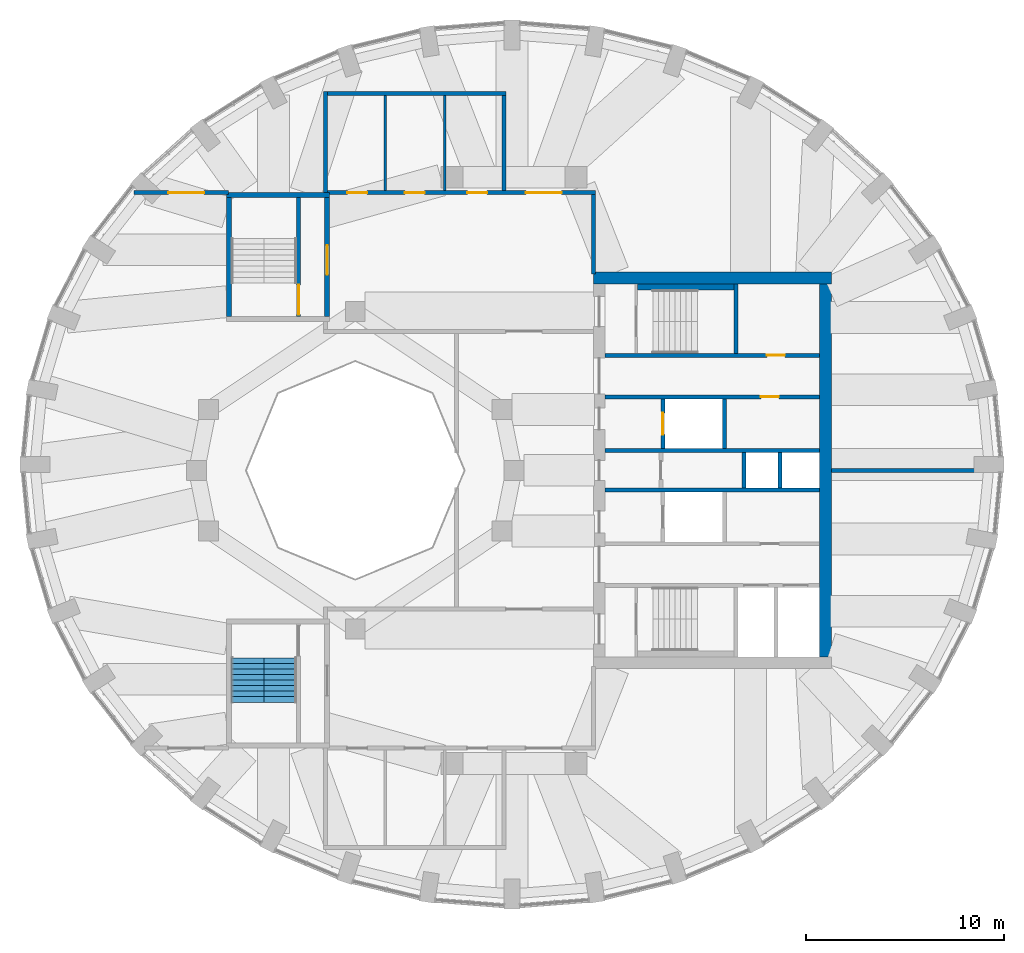
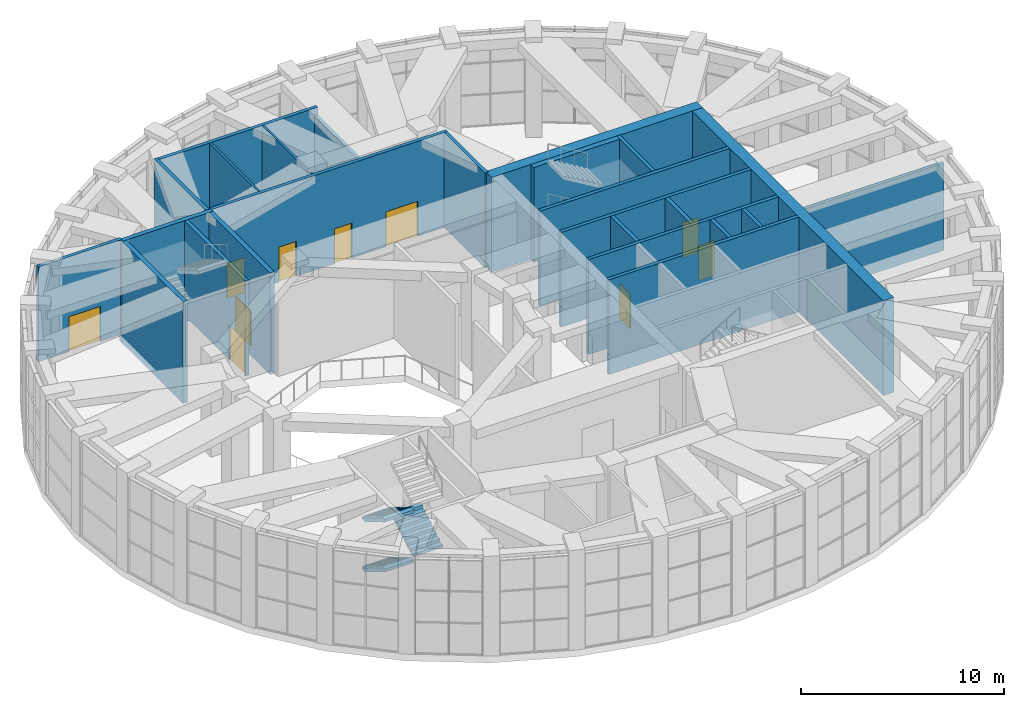
# One storey, part 17 of 20: 25 walls, 10 doors, 3 stair flights, 10 openings, 1 element without a shape of its own.
"""IFC4 building model written with IfcOpenShell, lengths in metres."""

from ifc_helpers import new_model, si_unit, direction, frame, frame_2d, origin, place, context, subcontext, project, spatial, polyline, rectangle, outline, extrude, material, layer, layer_set, type_object, element, fill, aggregate, save


model = new_model("IFC4")

# Units and contexts
model_context = context("Model", 3, precision=1e-05, world=origin(), true_north=direction((0.0, 1.0)))
body_context = subcontext(model_context, "Body", "Model", "MODEL_VIEW")
ifc_project = project(units=[si_unit("LENGTHUNIT", "METRE"), si_unit("AREAUNIT", "SQUARE_METRE"), si_unit("VOLUMEUNIT", "CUBIC_METRE"), si_unit("PLANEANGLEUNIT", "RADIAN"), si_unit("MASSUNIT", "GRAM", prefix="KILO")], contexts=[model_context])

# Site, building, storey
site_placement = place(None, origin())
site = spatial("IfcSite", under=ifc_project, at=site_placement, CompositionType="ELEMENT")
building_placement = place(site_placement, origin())
building = spatial("IfcBuilding", under=site, at=building_placement, Name="Taillehof Tower", CompositionType="ELEMENT")
storey_placement = place(building_placement, frame((0.0, 0.0, 269.199951171875)))
storey = spatial("IfcBuildingStorey", under=building, at=storey_placement, Name="L76", CompositionType="ELEMENT", Elevation=269.199951171875)

# Wall
ifc_material_1 = material(Name="Calcium silicate blockwork", Category="masonry")
ifc_layer_1 = layer(ifc_material_1, 0.199951171875)
ifc_layer_set_1 = layer_set([ifc_layer_1], Name="Compartment wall EI 60 200 mm")
wall_type_1 = type_object("IfcWallType", Name="Compartment wall EI 60 200 mm", PredefinedType="PARTITIONING", material=ifc_layer_set_1)
wall_1_placement = place(storey_placement, frame((15.998046875, 0.0, 0.0), z_axis=(0.0, 0.0, 1.0), x_axis=(1.0, 0.0, 0.0)))
element("IfcWall", 1, at=wall_1_placement, inside=storey, type_object=wall_type_1, Name="Wall L76-10 / L76-11", PredefinedType="PARTITIONING", context=body_context, shape_type="SweptSolid", body=[
    extrude(rectangle(XDim=8.232421875, YDim=0.199951171875, at=frame_2d((4.1162109375, 0.0))), origin(), (0.0, 0.0, 1.0), 5.25),
])

# Wall, opening, door
wall_2_placement = place(storey_placement, frame((-19.14990234375, 14.0, 0.0), z_axis=(0.0, 0.0, 1.0), x_axis=(1.0, 0.0, 0.0)))
wall_2 = element("IfcWall", 2, at=wall_2_placement, inside=storey, type_object=wall_type_1, Name="Wall L76-10 / L76-12", PredefinedType="PARTITIONING", context=body_context, shape_type="SweptSolid", body=[
    extrude(rectangle(XDim=4.75, YDim=0.199951171875, at=frame_2d((2.375, 0.0))), origin(), (0.0, 0.0, 1.0), 5.699951171875),
])
opening_1_placement = place(wall_2_placement, frame((1.72509765625, 0.0, 0.0)))
opening_1 = element("IfcOpeningElement", 3, at=opening_1_placement, cuts=wall_2, Name="Opening D7648", PredefinedType="OPENING", context=body_context, shape_type="SweptSolid", body=[
    extrude(rectangle(XDim=1.800048828125, YDim=2.10009765625, at=frame_2d((0.89990234375, 1.050048828125))), frame((0.0, 0.10986328125, 0.0), z_axis=(0.0, -1.0, 0.0), x_axis=(1.0, 0.0, 0.0)), (0.0, 0.0, 1.0), 0.219970703125),
])
ifc_material_2 = material(Name="Hollow metal door set")
door_type_1 = type_object("IfcDoorType", Name="Double door 1800 x 2100 FD60S", OperationType="DOUBLE_DOOR_SINGLE_SWING", PredefinedType="DOOR", material=ifc_material_2)
door_1_placement = place(opening_1_placement, origin())
door_1 = element("IfcDoor", 4, at=door_1_placement, inside=storey, type_object=door_type_1, Name="Door D7648", OperationType="DOUBLE_DOOR_SINGLE_SWING", OverallHeight=2.10009765625, OverallWidth=1.800048828125, PredefinedType="DOOR", context=body_context, shape_type="SweptSolid", body=[
    extrude(rectangle(XDim=1.800048828125, YDim=2.10009765625, at=frame_2d((0.89990234375, 1.050048828125))), frame((0.0, 0.02490234375, 0.0), z_axis=(0.0, -1.0, 0.0), x_axis=(1.0, 0.0, 0.0)), (0.0, 0.0, 1.0), 0.050048828125),
])
fill(opening_1, door_1)

# Wall, openings, doors
wall_3_placement = place(storey_placement, frame((-9.39990234375, 14.0, 0.0), z_axis=(0.0, 0.0, 1.0), x_axis=(1.0, 0.0, 0.0)))
wall_3 = element("IfcWall", 5, at=wall_3_placement, inside=storey, type_object=wall_type_1, Name="Wall L76-01 / L76-07", PredefinedType="PARTITIONING", context=body_context, shape_type="SweptSolid", body=[
    extrude(rectangle(XDim=13.5, YDim=0.199951171875, at=frame_2d((6.75, 0.0))), origin(), (0.0, 0.0, 1.0), 5.699951171875),
])
opening_2_placement = place(wall_3_placement, frame((10.0, 0.0, 0.0)))
opening_2 = element("IfcOpeningElement", 6, at=opening_2_placement, cuts=wall_3, Name="Opening D7652", PredefinedType="OPENING", context=body_context, shape_type="SweptSolid", body=[
    extrude(rectangle(XDim=1.800048828125, YDim=2.10009765625, at=frame_2d((0.89990234375, 1.050048828125))), frame((0.0, 0.10986328125, 0.0), z_axis=(0.0, -1.0, 0.0), x_axis=(1.0, 0.0, 0.0)), (0.0, 0.0, 1.0), 0.219970703125),
])
opening_3_placement = place(wall_3_placement, frame((1.0, 0.0, 0.0)))
opening_3 = element("IfcOpeningElement", 7, at=opening_3_placement, cuts=wall_3, Name="Opening D7649", PredefinedType="OPENING", context=body_context, shape_type="SweptSolid", body=[
    extrude(rectangle(XDim=1.0, YDim=2.10009765625, at=frame_2d((0.5, 1.050048828125))), frame((0.0, 0.10986328125, 0.0), z_axis=(0.0, -1.0, 0.0), x_axis=(1.0, 0.0, 0.0)), (0.0, 0.0, 1.0), 0.219970703125),
])
opening_4_placement = place(wall_3_placement, frame((3.89990234375, 0.0, 0.0)))
opening_4 = element("IfcOpeningElement", 8, at=opening_4_placement, cuts=wall_3, Name="Opening D7650", PredefinedType="OPENING", context=body_context, shape_type="SweptSolid", body=[
    extrude(rectangle(XDim=1.0, YDim=2.10009765625, at=frame_2d((0.5, 1.050048828125))), frame((0.0, 0.10986328125, 0.0), z_axis=(0.0, -1.0, 0.0), x_axis=(1.0, 0.0, 0.0)), (0.0, 0.0, 1.0), 0.219970703125),
])
opening_5_placement = place(wall_3_placement, frame((7.050048828125, 0.0, 0.0)))
opening_5 = element("IfcOpeningElement", 9, at=opening_5_placement, cuts=wall_3, Name="Opening D7651", PredefinedType="OPENING", context=body_context, shape_type="SweptSolid", body=[
    extrude(rectangle(XDim=1.0, YDim=2.10009765625, at=frame_2d((0.5, 1.050048828125))), frame((0.0, 0.10986328125, 0.0), z_axis=(0.0, -1.0, 0.0), x_axis=(1.0, 0.0, 0.0)), (0.0, 0.0, 1.0), 0.219970703125),
])
door_2_placement = place(opening_2_placement, origin())
door_2 = element("IfcDoor", 10, at=door_2_placement, inside=storey, type_object=door_type_1, Name="Door D7652", OperationType="DOUBLE_DOOR_SINGLE_SWING", OverallHeight=2.10009765625, OverallWidth=1.800048828125, PredefinedType="DOOR", context=body_context, shape_type="SweptSolid", body=[
    extrude(rectangle(XDim=1.800048828125, YDim=2.10009765625, at=frame_2d((0.89990234375, 1.050048828125))), frame((0.0, 0.02490234375, 0.0), z_axis=(0.0, -1.0, 0.0), x_axis=(1.0, 0.0, 0.0)), (0.0, 0.0, 1.0), 0.050048828125),
])
fill(opening_2, door_2)
ifc_material_3 = material(Name="Hollow metal door set")
door_type_2 = type_object("IfcDoorType", Name="Single door 1000 x 2100 FD60S", OperationType="SINGLE_SWING_LEFT", PredefinedType="DOOR", material=ifc_material_3)
door_3_placement = place(opening_3_placement, origin())
door_3 = element("IfcDoor", 11, at=door_3_placement, inside=storey, type_object=door_type_2, Name="Door D7649", OperationType="SINGLE_SWING_RIGHT", OverallHeight=2.10009765625, OverallWidth=1.0, PredefinedType="DOOR", context=body_context, shape_type="SweptSolid", body=[
    extrude(rectangle(XDim=1.0, YDim=2.10009765625, at=frame_2d((0.5, 1.050048828125))), frame((0.0, 0.02490234375, 0.0), z_axis=(0.0, -1.0, 0.0), x_axis=(1.0, 0.0, 0.0)), (0.0, 0.0, 1.0), 0.050048828125),
])
fill(opening_3, door_3)
door_4_placement = place(opening_4_placement, origin())
door_4 = element("IfcDoor", 12, at=door_4_placement, inside=storey, type_object=door_type_2, Name="Door D7650", OperationType="SINGLE_SWING_LEFT", OverallHeight=2.10009765625, OverallWidth=1.0, PredefinedType="DOOR", context=body_context, shape_type="SweptSolid", body=[
    extrude(rectangle(XDim=1.0, YDim=2.10009765625, at=frame_2d((0.5, 1.050048828125))), frame((0.0, 0.02490234375, 0.0), z_axis=(0.0, -1.0, 0.0), x_axis=(1.0, 0.0, 0.0)), (0.0, 0.0, 1.0), 0.050048828125),
])
fill(opening_4, door_4)
door_5_placement = place(opening_5_placement, origin())
door_5 = element("IfcDoor", 13, at=door_5_placement, inside=storey, type_object=door_type_2, Name="Door D7651", OperationType="SINGLE_SWING_RIGHT", OverallHeight=2.10009765625, OverallWidth=1.0, PredefinedType="DOOR", context=body_context, shape_type="SweptSolid", body=[
    extrude(rectangle(XDim=1.0, YDim=2.10009765625, at=frame_2d((0.5, 1.050048828125))), frame((0.0, 0.02490234375, 0.0), z_axis=(0.0, -1.0, 0.0), x_axis=(1.0, 0.0, 0.0)), (0.0, 0.0, 1.0), 0.050048828125),
])
fill(opening_5, door_5)

# Walls
wall_4_placement = place(storey_placement, frame((-9.39990234375, 19.0, 0.0), z_axis=(0.0, 0.0, 1.0), x_axis=(1.0, 0.0, 0.0)))
element("IfcWall", 14, at=wall_4_placement, inside=storey, type_object=wall_type_1, Name="Wall L76-01 / L76-10", PredefinedType="PARTITIONING", context=body_context, shape_type="SweptSolid", body=[
    extrude(rectangle(XDim=9.0, YDim=0.199951171875, at=frame_2d((4.5, 0.0))), origin(), (0.0, 0.0, 1.0), 5.699951171875),
])
wall_5_placement = place(storey_placement, frame((-9.5, 13.998046875, 0.0), z_axis=(0.0, 0.0, 1.0), x_axis=(0.0, 1.0, 0.0)))
element("IfcWall", 15, at=wall_5_placement, inside=storey, type_object=wall_type_1, Name="Wall L76-01 / L76-10", PredefinedType="PARTITIONING", context=body_context, shape_type="SweptSolid", body=[
    extrude(rectangle(XDim=5.10205078125, YDim=0.199951171875, at=frame_2d((2.551025390625, 0.0))), origin(), (0.0, 0.0, 1.0), 5.699951171875),
])
wall_6_placement = place(storey_placement, frame((-0.5, 14.10009765625, 0.0), z_axis=(0.0, 0.0, 1.0), x_axis=(0.0, 1.0, 0.0)))
element("IfcWall", 16, at=wall_6_placement, inside=storey, type_object=wall_type_1, Name="Wall L76-03 / L76-10", PredefinedType="PARTITIONING", context=body_context, shape_type="SweptSolid", body=[
    extrude(rectangle(XDim=4.7998046875, YDim=0.199951171875, at=frame_2d((2.39990234375, 0.0))), origin(), (0.0, 0.0, 1.0), 5.25),
])
wall_7_placement = place(storey_placement, frame((4.0, 9.89990234375, 0.0), z_axis=(0.0, 0.0, 1.0), x_axis=(0.0, 1.0, 0.0)))
element("IfcWall", 17, at=wall_7_placement, inside=storey, type_object=wall_type_1, Name="Wall L76-07 / L76-10", PredefinedType="PARTITIONING", context=body_context, shape_type="SweptSolid", body=[
    extrude(rectangle(XDim=4.0, YDim=0.199951171875, at=frame_2d((2.0, 0.0))), origin(), (0.0, 0.0, 1.0), 5.699951171875),
])
ifc_material_4 = material(Name="Calcium silicate masonry", Category="masonry")
ifc_layer_2 = layer(ifc_material_4, 0.199951171875)
ifc_layer_set_2 = layer_set([ifc_layer_2], Name="Compartment wall calcium silicate 200")
wall_type_2 = type_object("IfcWallType", Name="Compartment wall calcium silicate 200", PredefinedType="PARTITIONING", material=ifc_layer_set_2)
for number, where, z_axis, x_axis, name in (
    (18, (11.60009765625, -0.89990234375, 0.0), (0.0, 0.0, 1.0), (0.0, 1.0, 0.0), "Compartment wall FW"),
    (19, (13.39990234375, -0.89990234375, 0.0), (0.0, 0.0, 1.0), (0.0, 1.0, 0.0), "Compartment wall FW"),
):
    element("IfcWall", number, at=place(storey_placement, frame(where, z_axis=z_axis, x_axis=x_axis)), inside=storey, type_object=wall_type_2, Name=name, PredefinedType="PARTITIONING", context=body_context, shape_type="SweptSolid", body=[
        extrude(rectangle(XDim=1.7998046875, YDim=0.199951171875, at=frame_2d((0.89990234375, 0.0))), origin(), (0.0, 0.0, 1.0), 5.699951171875),
    ])
ifc_material_5 = material(Name="Calcium silicate masonry", Category="masonry")
ifc_layer_3 = layer(ifc_material_5, 0.300048828125)
ifc_layer_set_3 = layer_set([ifc_layer_3], Name="Compartment wall lining calcium silicate 300")
wall_type_3 = type_object("IfcWallType", Name="Compartment wall lining calcium silicate 300", PredefinedType="PARTITIONING", material=ifc_layer_set_3)
wall_8_placement = place(storey_placement, frame((6.219970703125, 9.25, 0.0), z_axis=(0.0, 0.0, 1.0), x_axis=(1.0, 0.0, 0.0)))
element("IfcWall", 20, at=wall_8_placement, inside=storey, type_object=wall_type_3, Name="Compartment wall FW", PredefinedType="PARTITIONING", context=body_context, shape_type="SweptSolid", body=[
    extrude(rectangle(XDim=4.880126953125, YDim=0.300048828125, at=frame_2d((2.43994140625, 0.0))), origin(), (0.0, 0.0, 1.0), 5.699951171875),
])
ifc_material_6 = material(Name="Concrete C80/95", Category="concrete")
ifc_layer_4 = layer(ifc_material_6, 0.60009765625)
ifc_layer_set_4 = layer_set([ifc_layer_4], Name="Core wall C80/95 600")
wall_type_4 = type_object("IfcWallType", Name="Core wall C80/95 600", PredefinedType="SHEAR", material=ifc_layer_set_4)
wall_9_placement = place(storey_placement, frame((15.699951171875, -9.39990234375, 0.0), z_axis=(0.0, 0.0, 1.0), x_axis=(0.0, 1.0, 0.0)))
element("IfcWall", 21, at=wall_9_placement, inside=storey, type_object=wall_type_4, Name="Core wall CW05", PredefinedType="SHEAR", context=body_context, shape_type="SweptSolid", body=[
    extrude(rectangle(XDim=18.7998046875, YDim=0.60009765625, at=frame_2d((9.39990234375, 0.0))), origin(), (0.0, 0.0, 1.0), 5.699951171875),
])
wall_10_placement = place(storey_placement, frame((4.0, 9.699951171875, 0.0), z_axis=(0.0, 0.0, 1.0), x_axis=(1.0, 0.0, 0.0)))
element("IfcWall", 22, at=wall_10_placement, inside=storey, type_object=wall_type_4, Name="Core wall CW06", PredefinedType="SHEAR", context=body_context, shape_type="SweptSolid", body=[
    extrude(rectangle(XDim=12.0, YDim=0.60009765625, at=frame_2d((6.0, 0.0))), origin(), (0.0, 0.0, 1.0), 5.699951171875),
])
ifc_material_7 = material(Name="Gypsum board partition on steel studs", Category="steel")
ifc_layer_5 = layer(ifc_material_7, 0.125)
ifc_layer_set_5 = layer_set([ifc_layer_5], Name="Partition wall EI 30 125 mm")
wall_type_5 = type_object("IfcWallType", Name="Partition wall EI 30 125 mm", PredefinedType="PARTITIONING", material=ifc_layer_set_5)
for number, where, z_axis, x_axis, name in (
    (23, (-6.5, 14.10009765625, 0.0), (0.0, 0.0, 1.0), (0.0, 1.0, 0.0), "Wall L76-01 / L76-02"),
    (24, (-3.5, 14.10009765625, 0.0), (0.0, 0.0, 1.0), (0.0, 1.0, 0.0), "Wall L76-02 / L76-03"),
):
    element("IfcWall", number, at=place(storey_placement, frame(where, z_axis=z_axis, x_axis=x_axis)), inside=storey, type_object=wall_type_5, Name=name, PredefinedType="PARTITIONING", context=body_context, shape_type="SweptSolid", body=[
        extrude(rectangle(XDim=4.7998046875, YDim=0.125, at=frame_2d((2.39990234375, 0.0))), origin(), (0.0, 0.0, 1.0), 5.699951171875),
    ])

# Wall, opening, door
ifc_material_8 = material(Name="Concrete C50/60", Category="concrete")
ifc_layer_6 = layer(ifc_material_8, 0.199951171875)
ifc_layer_set_6 = layer_set([ifc_layer_6], Name="Shaft wall C50/60 200")
wall_type_6 = type_object("IfcWallType", Name="Shaft wall C50/60 200", PredefinedType="SHEAR", material=ifc_layer_set_6)
wall_11_placement = place(storey_placement, frame((4.60009765625, 5.800048828125, 0.0), z_axis=(0.0, 0.0, 1.0), x_axis=(1.0, 0.0, 0.0)))
wall_11 = element("IfcWall", 25, at=wall_11_placement, inside=storey, type_object=wall_type_6, Name="Shaft wall SW", PredefinedType="SHEAR", context=body_context, shape_type="SweptSolid", body=[
    extrude(rectangle(XDim=10.7998046875, YDim=0.199951171875, at=frame_2d((5.39990234375, 0.0))), origin(), (0.0, 0.0, 1.0), 5.699951171875),
])
opening_6_placement = place(wall_11_placement, frame((8.14990234375, 0.0, 0.0)))
opening_6 = element("IfcOpeningElement", 26, at=opening_6_placement, cuts=wall_11, Name="Opening D7612", PredefinedType="OPENING", context=body_context, shape_type="SweptSolid", body=[
    extrude(rectangle(XDim=0.89990234375, YDim=2.10009765625, at=frame_2d((0.449951171875, 1.050048828125))), frame((0.0, 0.10986328125, 0.0), z_axis=(0.0, -1.0, 0.0), x_axis=(1.0, 0.0, 0.0)), (0.0, 0.0, 1.0), 0.219970703125),
])
ifc_material_9 = material(Name="Steel-faced fire door", Category="steel")
door_type_3 = type_object("IfcDoorType", Name="Riser and service room door 900x2100", OperationType="SINGLE_SWING_LEFT", PredefinedType="DOOR", material=ifc_material_9)
door_6_placement = place(opening_6_placement, origin())
door_6 = element("IfcDoor", 27, at=door_6_placement, inside=storey, type_object=door_type_3, Name="Door Fire Safety Store", OperationType="SINGLE_SWING_LEFT", OverallHeight=2.10009765625, OverallWidth=0.89990234375, PredefinedType="DOOR", context=body_context, shape_type="SweptSolid", body=[
    extrude(rectangle(XDim=0.89990234375, YDim=2.10009765625, at=frame_2d((0.449951171875, 1.050048828125))), frame((0.0, 0.02490234375, 0.0), z_axis=(0.0, -1.0, 0.0), x_axis=(1.0, 0.0, 0.0)), (0.0, 0.0, 1.0), 0.050048828125),
])
fill(opening_6, door_6)

wall_12_placement = place(storey_placement, frame((4.60009765625, 3.699951171875, 0.0), z_axis=(0.0, 0.0, 1.0), x_axis=(1.0, 0.0, 0.0)))
wall_12 = element("IfcWall", 28, at=wall_12_placement, inside=storey, type_object=wall_type_6, Name="Shaft wall SW", PredefinedType="SHEAR", context=body_context, shape_type="SweptSolid", body=[
    extrude(rectangle(XDim=10.7998046875, YDim=0.199951171875, at=frame_2d((5.39990234375, 0.0))), origin(), (0.0, 0.0, 1.0), 5.699951171875),
])
opening_7_placement = place(wall_12_placement, frame((7.85009765625, 0.0, 0.0)))
opening_7 = element("IfcOpeningElement", 29, at=opening_7_placement, cuts=wall_12, Name="Opening D7613", PredefinedType="OPENING", context=body_context, shape_type="SweptSolid", body=[
    extrude(rectangle(XDim=0.89990234375, YDim=2.10009765625, at=frame_2d((0.449951171875, 1.050048828125))), frame((0.0, 0.10986328125, 0.0), z_axis=(0.0, -1.0, 0.0), x_axis=(1.0, 0.0, 0.0)), (0.0, 0.0, 1.0), 0.219970703125),
])
door_7_placement = place(opening_7_placement, origin())
door_7 = element("IfcDoor", 30, at=door_7_placement, inside=storey, type_object=door_type_3, Name="Door Comms Room", OperationType="SINGLE_SWING_RIGHT", OverallHeight=2.10009765625, OverallWidth=0.89990234375, PredefinedType="DOOR", context=body_context, shape_type="SweptSolid", body=[
    extrude(rectangle(XDim=0.89990234375, YDim=2.10009765625, at=frame_2d((0.449951171875, 1.050048828125))), frame((0.0, 0.02490234375, 0.0), z_axis=(0.0, -1.0, 0.0), x_axis=(1.0, 0.0, 0.0)), (0.0, 0.0, 1.0), 0.050048828125),
])
fill(opening_7, door_7)

# Walls
for number, where, z_axis, x_axis, name in (
    (31, (4.60009765625, 1.0, 0.0), (0.0, 0.0, 1.0), (1.0, 0.0, 0.0), "Shaft wall SW"),
    (32, (4.60009765625, -1.0, 0.0), (0.0, 0.0, 1.0), (1.0, 0.0, 0.0), "Shaft wall SW"),
):
    element("IfcWall", number, at=place(storey_placement, frame(where, z_axis=z_axis, x_axis=x_axis)), inside=storey, type_object=wall_type_6, Name=name, PredefinedType="SHEAR", context=body_context, shape_type="SweptSolid", body=[
        extrude(rectangle(XDim=10.7998046875, YDim=0.199951171875, at=frame_2d((5.39990234375, 0.0))), origin(), (0.0, 0.0, 1.0), 5.699951171875),
    ])
wall_13_placement = place(storey_placement, frame((11.199951171875, 5.89990234375, 0.0), z_axis=(0.0, 0.0, 1.0), x_axis=(0.0, 1.0, 0.0)))
element("IfcWall", 33, at=wall_13_placement, inside=storey, type_object=wall_type_6, Name="Shaft wall SW", PredefinedType="SHEAR", context=body_context, shape_type="SweptSolid", body=[
    extrude(rectangle(XDim=3.5, YDim=0.199951171875, at=frame_2d((1.75, 0.0))), origin(), (0.0, 0.0, 1.0), 5.699951171875),
])

# Wall, opening, door
wall_14_placement = place(storey_placement, frame((7.5, 1.10009765625, 0.0), z_axis=(0.0, 0.0, 1.0), x_axis=(0.0, 1.0, 0.0)))
wall_14 = element("IfcWall", 34, at=wall_14_placement, inside=storey, type_object=wall_type_6, Name="Shaft wall SW", PredefinedType="SHEAR", context=body_context, shape_type="SweptSolid", body=[
    extrude(rectangle(XDim=2.5, YDim=0.199951171875, at=frame_2d((1.25, 0.0))), origin(), (0.0, 0.0, 1.0), 5.699951171875),
])
opening_8_placement = place(wall_14_placement, frame((0.699951171875, 0.0, 0.0)))
opening_8 = element("IfcOpeningElement", 35, at=opening_8_placement, cuts=wall_14, Name="Opening LD1", PredefinedType="OPENING", context=body_context, shape_type="SweptSolid", body=[
    extrude(rectangle(XDim=1.10009765625, YDim=2.10009765625, at=frame_2d((0.550048828125, 1.050048828125))), frame((0.0, 0.10986328125, 0.0), z_axis=(0.0, -1.0, 0.0), x_axis=(1.0, 0.0, 0.0)), (0.0, 0.0, 1.0), 0.219970703125),
])
ifc_material_10 = material(Name="Stainless steel", Category="steel")
door_type_4 = type_object("IfcDoorType", Name="Lift landing door LD1 1100x2100", OperationType="DOUBLE_DOOR_SLIDING", PredefinedType="DOOR", material=ifc_material_10)
door_8_placement = place(opening_8_placement, origin())
door_8 = element("IfcDoor", 36, at=door_8_placement, inside=storey, type_object=door_type_4, Name="Landing door FF1", OperationType="DOUBLE_DOOR_SLIDING", OverallHeight=2.10009765625, OverallWidth=1.10009765625, PredefinedType="DOOR", context=body_context, shape_type="SweptSolid", body=[
    extrude(rectangle(XDim=1.10009765625, YDim=2.10009765625, at=frame_2d((0.550048828125, 1.050048828125))), frame((0.0, 0.02490234375, 0.0), z_axis=(0.0, -1.0, 0.0), x_axis=(1.0, 0.0, 0.0)), (0.0, 0.0, 1.0), 0.050048828125),
])
fill(opening_8, door_8)

# Wall
wall_15_placement = place(storey_placement, frame((10.60009765625, 1.10009765625, 0.0), z_axis=(0.0, 0.0, 1.0), x_axis=(0.0, 1.0, 0.0)))
element("IfcWall", 37, at=wall_15_placement, inside=storey, type_object=wall_type_6, Name="Shaft wall SW", PredefinedType="SHEAR", context=body_context, shape_type="SweptSolid", body=[
    extrude(rectangle(XDim=2.5, YDim=0.199951171875, at=frame_2d((1.25, 0.0))), origin(), (0.0, 0.0, 1.0), 5.699951171875),
])

# Wall, opening, door
wall_16_placement = place(storey_placement, frame((-10.85009765625, 7.75, 0.0), z_axis=(0.0, 0.0, 1.0), x_axis=(0.0, 1.0, 0.0)))
wall_16 = element("IfcWall", 38, at=wall_16_placement, inside=storey, type_object=wall_type_6, Name="Shaft wall SW", PredefinedType="SHEAR", context=body_context, shape_type="SweptSolid", body=[
    extrude(rectangle(XDim=6.0, YDim=0.199951171875, at=frame_2d((3.0, 0.0))), origin(), (0.0, 0.0, 1.0), 5.699951171875),
])
opening_9_placement = place(wall_16_placement, frame((0.10009765625, 0.0, 0.0)))
opening_9 = element("IfcOpeningElement", 39, at=opening_9_placement, cuts=wall_16, Name="Opening D7610", PredefinedType="OPENING", context=body_context, shape_type="SweptSolid", body=[
    extrude(rectangle(XDim=1.5, YDim=2.10009765625, at=frame_2d((0.75, 1.050048828125))), frame((0.0, 0.10986328125, 0.0), z_axis=(0.0, -1.0, 0.0), x_axis=(1.0, 0.0, 0.0)), (0.0, 0.0, 1.0), 0.219970703125),
])
ifc_material_11 = material(Name="Steel-faced fire door", Category="steel")
door_type_5 = type_object("IfcDoorType", Name="Stair door 1500x2100", OperationType="DOUBLE_DOOR_SINGLE_SWING", PredefinedType="DOOR", material=ifc_material_11)
door_9_placement = place(opening_9_placement, origin())
door_9 = element("IfcDoor", 40, at=door_9_placement, inside=storey, type_object=door_type_5, Name="Stair lobby door S3", OperationType="DOUBLE_DOOR_SINGLE_SWING", OverallHeight=2.10009765625, OverallWidth=1.5, PredefinedType="DOOR", context=body_context, shape_type="SweptSolid", body=[
    extrude(rectangle(XDim=1.5, YDim=2.10009765625, at=frame_2d((0.75, 1.050048828125))), frame((0.0, 0.02490234375, 0.0), z_axis=(0.0, -1.0, 0.0), x_axis=(1.0, 0.0, 0.0)), (0.0, 0.0, 1.0), 0.050048828125),
])
fill(opening_9, door_9)

# Wall
ifc_material_12 = material(Name="Concrete C50/60", Category="concrete")
ifc_layer_7 = layer(ifc_material_12, 0.25)
ifc_layer_set_7 = layer_set([ifc_layer_7], Name="Stair wall C50/60 250")
wall_type_7 = type_object("IfcWallType", Name="Stair wall C50/60 250", PredefinedType="SHEAR", material=ifc_layer_set_7)
wall_17_placement = place(storey_placement, frame((-14.375, 7.75, -0.409912109375), z_axis=(0.0, 0.0, 1.0), x_axis=(0.0, 1.0, 0.0)))
element("IfcWall", 41, at=wall_17_placement, inside=storey, type_object=wall_type_7, Name="Stair wall SC", PredefinedType="SHEAR", context=body_context, shape_type="SweptSolid", body=[
    extrude(rectangle(XDim=6.0, YDim=0.25, at=frame_2d((3.0, 0.0))), origin(), (0.0, 0.0, 1.0), 6.10986328125),
])

# Wall, opening, door
wall_18_placement = place(storey_placement, frame((-9.425048828125, 7.75, -0.409912109375), z_axis=(0.0, 0.0, 1.0), x_axis=(0.0, 1.0, 0.0)))
wall_18 = element("IfcWall", 42, at=wall_18_placement, inside=storey, type_object=wall_type_7, Name="Stair wall SC", PredefinedType="SHEAR", context=body_context, shape_type="SweptSolid", body=[
    extrude(rectangle(XDim=6.0, YDim=0.25, at=frame_2d((3.0, 0.0))), origin(), (0.0, 0.0, 1.0), 6.10986328125),
])
opening_10_placement = place(wall_18_placement, frame((2.10009765625, 0.0, 0.409912109375)))
opening_10 = element("IfcOpeningElement", 43, at=opening_10_placement, cuts=wall_18, Name="Opening D7616", PredefinedType="OPENING", context=body_context, shape_type="SweptSolid", body=[
    extrude(rectangle(XDim=1.5, YDim=2.10009765625, at=frame_2d((0.75, 1.050048828125))), frame((0.0, 0.135009765625, 0.0), z_axis=(0.0, -1.0, 0.0), x_axis=(1.0, 0.0, 0.0)), (0.0, 0.0, 1.0), 0.27001953125),
])
door_10_placement = place(opening_10_placement, origin())
door_10 = element("IfcDoor", 44, at=door_10_placement, inside=storey, type_object=door_type_5, Name="Stair door S3", OperationType="DOUBLE_DOOR_SINGLE_SWING", OverallHeight=2.10009765625, OverallWidth=1.5, PredefinedType="DOOR", context=body_context, shape_type="SweptSolid", body=[
    extrude(rectangle(XDim=1.5, YDim=2.10009765625, at=frame_2d((0.75, 1.050048828125))), frame((0.0, 0.02490234375, 0.0), z_axis=(0.0, -1.0, 0.0), x_axis=(1.0, 0.0, 0.0)), (0.0, 0.0, 1.0), 0.050048828125),
])
fill(opening_10, door_10)

# Wall
wall_19_placement = place(storey_placement, frame((-14.5, 13.875, -0.409912109375), z_axis=(0.0, 0.0, 1.0), x_axis=(1.0, 0.0, 0.0)))
element("IfcWall", 45, at=wall_19_placement, inside=storey, type_object=wall_type_7, Name="Stair wall SC", PredefinedType="SHEAR", context=body_context, shape_type="SweptSolid", body=[
    extrude(rectangle(XDim=5.199951171875, YDim=0.25, at=frame_2d((2.60009765625, 0.0))), origin(), (0.0, 0.0, 1.0), 6.10986328125),
])

# Stair, stair flights
ifc_material_13 = material(Name="Concrete C40/50", Category="concrete")
stair_type = type_object("IfcStairType", Name="Exit stair half-turn", PredefinedType="HALF_TURN_STAIR", material=ifc_material_13)
stair_placement = place(storey_placement, origin())
stair = element("IfcStair", 46, at=stair_placement, inside=storey, type_object=stair_type, Name="Exit stair S4", PredefinedType="HALF_TURN_STAIR")
ifc_material_14 = material(Name="Concrete C40/50", Category="concrete")
stair_flight_type = type_object("IfcStairFlightType", Name="Stair flight 1650 riser 166.7 going 280", PredefinedType="STRAIGHT", material=ifc_material_14)
stair_flight_1_placement = place(storey_placement, frame((-13.425048828125, -9.449951171875, 0.0), z_axis=(0.0, 0.0, 1.0), x_axis=(0.0, -1.0, 0.0)))
stair_flight_1 = element("IfcStairFlight", 47, at=stair_flight_1_placement, type_object=stair_flight_type, Name="S4 flight 1", NumberOfRisers=9, NumberOfTreads=8, PredefinedType="STRAIGHT", RiserHeight=0.166666667, TreadLength=0.28, context=body_context, shape_type="SweptSolid", body=[
    extrude(outline(polyline([(0.0, 0.0), (0.0, 0.005859375), (0.0, 0.011962890625), (0.0, 0.017822265625), (0.0, 0.02392578125), (0.0, 0.02978515625), (0.0, 0.03564453125), (0.0, 0.041748046875), (0.0, 0.047607421875), (0.0, 0.053466796875), (0.0, 0.0595703125), (0.0, 0.0654296875), (0.0, 0.071533203125), (0.0, 0.077392578125), (0.0, 0.083251953125), (0.0, 0.08935546875), (0.0, 0.09521484375), (0.0, 0.10107421875), (0.0, 0.107177734375), (0.0, 0.113037109375), (0.0, 0.119140625), (0.0, 0.125), (0.0, 0.130859375), (0.0, 0.136962890625), (0.0, 0.142822265625), (0.0, 0.14892578125), (0.0, 0.15478515625), (0.0, 0.16064453125), (0.0, 0.166748046875), (0.280029296875, 0.166748046875), (0.280029296875, 0.333251953125), (0.56005859375, 0.333251953125), (0.56005859375, 0.5), (0.840087890625, 0.5), (0.840087890625, 0.666748046875), (1.1201171875, 0.666748046875), (1.1201171875, 0.833251953125), (1.39990234375, 0.833251953125), (1.39990234375, 1.0), (1.679931640625, 1.0), (1.679931640625, 1.166748046875), (1.9599609375, 1.166748046875), (1.9599609375, 1.333251953125), (2.239990234375, 1.333251953125), (2.239990234375, 1.3271484375), (2.239990234375, 1.32080078125), (2.239990234375, 1.314697265625), (2.239990234375, 1.308349609375), (2.239990234375, 1.30224609375), (2.239990234375, 1.2958984375), (2.239990234375, 1.289794921875), (2.239990234375, 1.283447265625), (2.239990234375, 1.27734375), (2.239990234375, 1.27099609375), (2.239990234375, 1.264892578125), (2.239990234375, 1.258544921875), (2.239990234375, 1.25244140625), (2.239990234375, 1.24609375), (2.239990234375, 1.239990234375), (2.239990234375, 1.233642578125), (2.239990234375, 1.2275390625), (2.239990234375, 1.22119140625), (2.239990234375, 1.21484375), (2.239990234375, 1.208740234375), (2.239990234375, 1.202392578125), (2.239990234375, 1.1962890625), (2.239990234375, 1.18994140625), (2.239990234375, 1.183837890625), (2.239990234375, 1.177490234375), (2.239990234375, 1.17138671875), (2.239990234375, 1.1650390625), (2.239990234375, 1.158935546875), (0.29296875, 0.0), (0.0, 0.0)])), frame((0.0, 0.824951171875, 0.0), z_axis=(0.0, -1.0, 0.0), x_axis=(1.0, 0.0, 0.0)), (0.0, 0.0, 1.0), 1.65),
])
stair_flight_2_placement = place(storey_placement, frame((-11.77490234375, -11.68994140625, 1.5), z_axis=(0.0, 0.0, 1.0), x_axis=(0.0, 1.0, 0.0)))
stair_flight_2 = element("IfcStairFlight", 48, at=stair_flight_2_placement, type_object=stair_flight_type, Name="S4 flight 2", NumberOfRisers=9, NumberOfTreads=8, PredefinedType="STRAIGHT", RiserHeight=0.166666667, TreadLength=0.28, context=body_context, shape_type="SweptSolid", body=[
    extrude(outline(polyline([(0.0, 0.0), (0.0, 0.005859375), (0.0, 0.011962890625), (0.0, 0.017822265625), (0.0, 0.02392578125), (0.0, 0.02978515625), (0.0, 0.03564453125), (0.0, 0.041748046875), (0.0, 0.047607421875), (0.0, 0.053466796875), (0.0, 0.0595703125), (0.0, 0.0654296875), (0.0, 0.071533203125), (0.0, 0.077392578125), (0.0, 0.083251953125), (0.0, 0.08935546875), (0.0, 0.09521484375), (0.0, 0.10107421875), (0.0, 0.107177734375), (0.0, 0.113037109375), (0.0, 0.119140625), (0.0, 0.125), (0.0, 0.130859375), (0.0, 0.136962890625), (0.0, 0.142822265625), (0.0, 0.14892578125), (0.0, 0.15478515625), (0.0, 0.16064453125), (0.0, 0.166748046875), (0.280029296875, 0.166748046875), (0.280029296875, 0.333251953125), (0.56005859375, 0.333251953125), (0.56005859375, 0.5), (0.840087890625, 0.5), (0.840087890625, 0.666748046875), (1.1201171875, 0.666748046875), (1.1201171875, 0.833251953125), (1.39990234375, 0.833251953125), (1.39990234375, 1.0), (1.679931640625, 1.0), (1.679931640625, 1.166748046875), (1.9599609375, 1.166748046875), (1.9599609375, 1.333251953125), (2.239990234375, 1.333251953125), (2.239990234375, 1.3271484375), (2.239990234375, 1.32080078125), (2.239990234375, 1.314697265625), (2.239990234375, 1.308349609375), (2.239990234375, 1.30224609375), (2.239990234375, 1.2958984375), (2.239990234375, 1.289794921875), (2.239990234375, 1.283447265625), (2.239990234375, 1.27734375), (2.239990234375, 1.27099609375), (2.239990234375, 1.264892578125), (2.239990234375, 1.258544921875), (2.239990234375, 1.25244140625), (2.239990234375, 1.24609375), (2.239990234375, 1.239990234375), (2.239990234375, 1.233642578125), (2.239990234375, 1.2275390625), (2.239990234375, 1.22119140625), (2.239990234375, 1.21484375), (2.239990234375, 1.208740234375), (2.239990234375, 1.202392578125), (2.239990234375, 1.1962890625), (2.239990234375, 1.18994140625), (2.239990234375, 1.183837890625), (2.239990234375, 1.177490234375), (2.239990234375, 1.17138671875), (2.239990234375, 1.1650390625), (2.239990234375, 1.158935546875), (0.29296875, 0.0), (0.0, 0.0)])), frame((0.0, 0.824951171875, 0.0), z_axis=(0.0, -1.0, 0.0), x_axis=(1.0, 0.0, 0.0)), (0.0, 0.0, 1.0), 1.65),
])
stair_flight_3_placement = place(storey_placement, frame((-13.425048828125, -9.449951171875, 3.0), z_axis=(0.0, 0.0, 1.0), x_axis=(0.0, -1.0, 0.0)))
stair_flight_3 = element("IfcStairFlight", 49, at=stair_flight_3_placement, type_object=stair_flight_type, Name="S4 flight 3", NumberOfRisers=9, NumberOfTreads=8, PredefinedType="STRAIGHT", RiserHeight=0.166666667, TreadLength=0.28, context=body_context, shape_type="SweptSolid", body=[
    extrude(outline(polyline([(0.0, 0.0), (0.0, 0.005859375), (0.0, 0.011962890625), (0.0, 0.017822265625), (0.0, 0.02392578125), (0.0, 0.02978515625), (0.0, 0.03564453125), (0.0, 0.041748046875), (0.0, 0.047607421875), (0.0, 0.053466796875), (0.0, 0.0595703125), (0.0, 0.0654296875), (0.0, 0.071533203125), (0.0, 0.077392578125), (0.0, 0.083251953125), (0.0, 0.08935546875), (0.0, 0.09521484375), (0.0, 0.10107421875), (0.0, 0.107177734375), (0.0, 0.113037109375), (0.0, 0.119140625), (0.0, 0.125), (0.0, 0.130859375), (0.0, 0.136962890625), (0.0, 0.142822265625), (0.0, 0.14892578125), (0.0, 0.15478515625), (0.0, 0.16064453125), (0.0, 0.166748046875), (0.280029296875, 0.166748046875), (0.280029296875, 0.333251953125), (0.56005859375, 0.333251953125), (0.56005859375, 0.5), (0.840087890625, 0.5), (0.840087890625, 0.666748046875), (1.1201171875, 0.666748046875), (1.1201171875, 0.833251953125), (1.39990234375, 0.833251953125), (1.39990234375, 1.0), (1.679931640625, 1.0), (1.679931640625, 1.166748046875), (1.9599609375, 1.166748046875), (1.9599609375, 1.333251953125), (2.239990234375, 1.333251953125), (2.239990234375, 1.3271484375), (2.239990234375, 1.32080078125), (2.239990234375, 1.314697265625), (2.239990234375, 1.308349609375), (2.239990234375, 1.30224609375), (2.239990234375, 1.2958984375), (2.239990234375, 1.289794921875), (2.239990234375, 1.283447265625), (2.239990234375, 1.27734375), (2.239990234375, 1.27099609375), (2.239990234375, 1.264892578125), (2.239990234375, 1.258544921875), (2.239990234375, 1.25244140625), (2.239990234375, 1.24609375), (2.239990234375, 1.239990234375), (2.239990234375, 1.233642578125), (2.239990234375, 1.2275390625), (2.239990234375, 1.22119140625), (2.239990234375, 1.21484375), (2.239990234375, 1.208740234375), (2.239990234375, 1.202392578125), (2.239990234375, 1.1962890625), (2.239990234375, 1.18994140625), (2.239990234375, 1.183837890625), (2.239990234375, 1.177490234375), (2.239990234375, 1.17138671875), (2.239990234375, 1.1650390625), (2.239990234375, 1.158935546875), (0.29296875, 0.0), (0.0, 0.0)])), frame((0.0, 0.824951171875, 0.0), z_axis=(0.0, -1.0, 0.0), x_axis=(1.0, 0.0, 0.0)), (0.0, 0.0, 1.0), 1.65),
])
aggregate(stair, [stair_flight_1, stair_flight_2, stair_flight_3])

save(model, "model.ifc")
